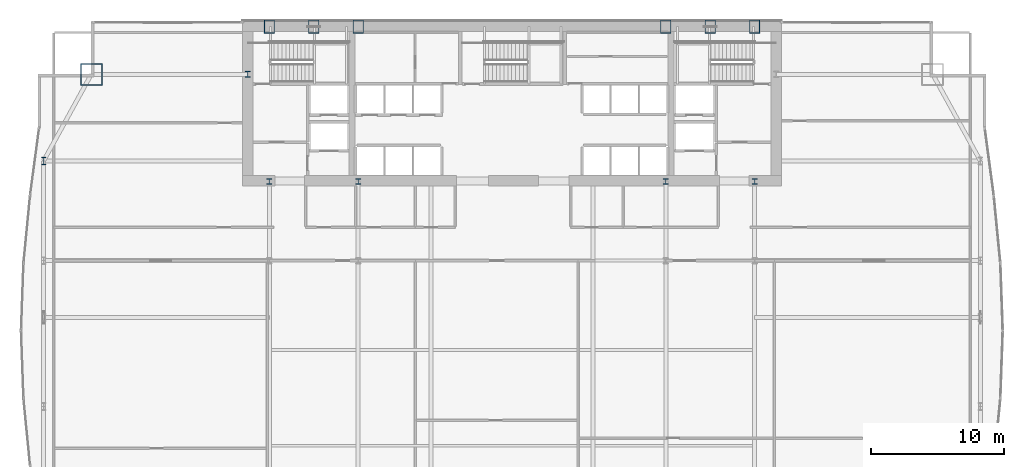
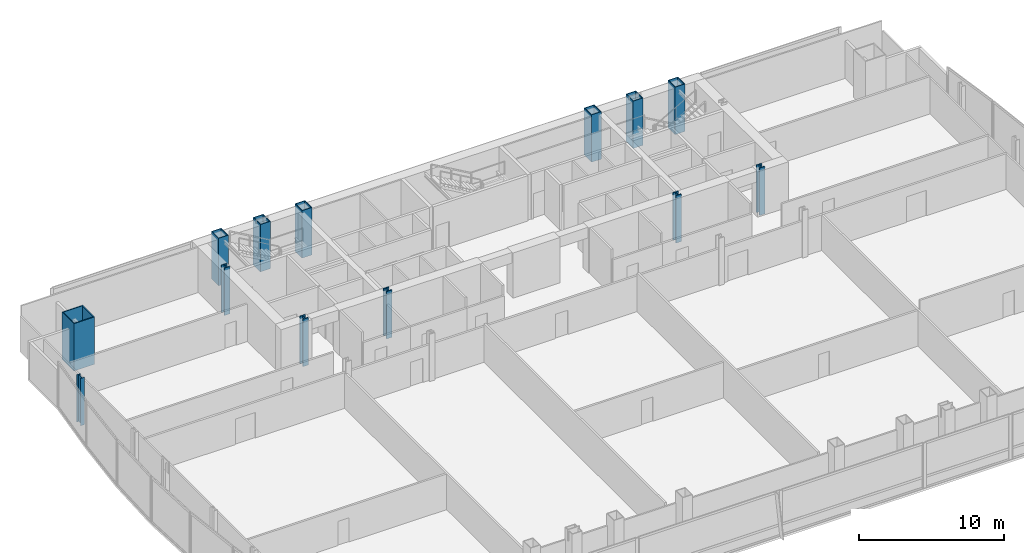
# One storey, part 3 of 35: 13 columns.
"""IFC4 building model written with IfcOpenShell, lengths in metres."""

from ifc_helpers import new_model, si_unit, direction, frame, origin, origin_2d, place, context, subcontext, project, spatial, hollow_rectangle, i_section, extrude, material, material_profile, profile_set, type_object, element, save


model = new_model("IFC4")

# Units and contexts
model_context = context("Model", 3, precision=1e-05, world=origin(), true_north=direction((0.0, 1.0)))
body_context = subcontext(model_context, "Body", "Model", "MODEL_VIEW")
ifc_project = project(units=[si_unit("LENGTHUNIT", "METRE"), si_unit("AREAUNIT", "SQUARE_METRE"), si_unit("VOLUMEUNIT", "CUBIC_METRE"), si_unit("PLANEANGLEUNIT", "RADIAN"), si_unit("MASSUNIT", "GRAM", prefix="KILO")], contexts=[model_context])

# Site, building, storey
site_placement = place(None, origin())
site = spatial("IfcSite", under=ifc_project, at=site_placement, CompositionType="ELEMENT")
building_placement = place(site_placement, origin())
building = spatial("IfcBuilding", under=site, at=building_placement, Name="Khoronbel Lancet Exchange", CompositionType="ELEMENT")
storey_placement = place(building_placement, frame((0.0, 0.0, 69.800048828125)))
storey = spatial("IfcBuildingStorey", under=building, at=storey_placement, Name="L16", CompositionType="ELEMENT", Elevation=69.800048828125)

# Columns
ifc_material_1 = material(Name="Steel S460", Category="steel")
ifc_material_profile_1 = material_profile(ifc_material_1, hollow_rectangle(XDim=0.800048828125, YDim=1.0, WallThickness=0.054931640625, at=origin_2d()), Name="BOX 1000x800x55")
ifc_profile_set_1 = profile_set([ifc_material_profile_1], Name="Steel S460")
column_type_1 = type_object("IfcColumnType", Name="COL-EC1", PredefinedType="COLUMN", material=ifc_profile_set_1)
for number, where, z_axis, x_axis, name in (
    (1, (18.22509765625, 53.280029296875, 0.0), (0.0, 0.0, 1.0), (1.0, 0.0, 0.0), "Structural column NC-W1 L16"),
    (2, (21.5625, 53.280029296875, 0.0), (0.0, 0.0, 1.0), (1.0, 0.0, 0.0), "Structural column NC-WM L16"),
    (3, (24.89990234375, 53.280029296875, 0.0), (0.0, 0.0, 1.0), (1.0, 0.0, 0.0), "Structural column NC-W2 L16"),
    (4, (48.0, 53.280029296875, 0.0), (0.0, 0.0, 1.0), (1.0, 0.0, 0.0), "Structural column NC-E1 L16"),
    (5, (51.33740234375, 53.280029296875, 0.0), (0.0, 0.0, 1.0), (1.0, 0.0, 0.0), "Structural column NC-EM L16"),
    (6, (54.675048828125, 53.280029296875, 0.0), (0.0, 0.0, 1.0), (1.0, 0.0, 0.0), "Structural column NC-E2 L16"),
):
    element("IfcColumn", number, at=place(storey_placement, frame(where, z_axis=z_axis, x_axis=x_axis)), inside=storey, type_object=column_type_1, Name=name, PredefinedType="COLUMN", context=body_context, shape_type="SweptSolid", body=[
        extrude(hollow_rectangle(XDim=0.800048828125, YDim=1.0, WallThickness=0.054931640625, at=origin_2d()), origin(), (0.0, 0.0, 1.0), 4.0),
    ])
ifc_material_profile_2 = material_profile(ifc_material_1, i_section(OverallWidth=0.424072265625, OverallDepth=0.47412109375, WebThickness=0.047607421875, FlangeThickness=0.076904296875, at=origin_2d()), Name="HD 400x634")
ifc_profile_set_2 = profile_set([ifc_material_profile_2], Name="Steel S460")
column_type_2 = type_object("IfcColumnType", Name="COL-IC1", PredefinedType="COLUMN", material=ifc_profile_set_2)
for number, where, z_axis, x_axis, name in (
    (7, (16.60009765625, 49.699951171875, 0.0), (0.0, 0.0, 1.0), (1.0, 0.0, 0.0), "Core-flank plumb transfer column CFW L16"),
    (8, (18.22509765625, 41.64990234375, 0.0), (0.0, 0.0, 1.0), (1.0, 0.0, 0.0), "Core-embedded steel column CTC1 L16"),
    (9, (24.89990234375, 41.64990234375, 0.0), (0.0, 0.0, 1.0), (1.0, 0.0, 0.0), "Core-embedded steel column CTC2 L16"),
    (10, (48.0, 41.64990234375, 0.0), (0.0, 0.0, 1.0), (1.0, 0.0, 0.0), "Core-embedded steel column CTC3 L16"),
    (11, (54.675048828125, 41.64990234375, 0.0), (0.0, 0.0, 1.0), (1.0, 0.0, 0.0), "Core-embedded steel column CTC4 L16"),
):
    element("IfcColumn", number, at=place(storey_placement, frame(where, z_axis=z_axis, x_axis=x_axis)), inside=storey, type_object=column_type_2, Name=name, PredefinedType="COLUMN", context=body_context, shape_type="SweptSolid", body=[
        extrude(i_section(OverallWidth=0.424072265625, OverallDepth=0.47412109375, WebThickness=0.047607421875, FlangeThickness=0.076904296875, at=origin_2d()), origin(), (0.0, 0.0, 1.0), 4.0),
    ])
ifc_material_2 = material(Name="Steel S355", Category="steel")
ifc_material_profile_3 = material_profile(ifc_material_2, i_section(OverallWidth=0.300048828125, OverallDepth=0.550048828125, WebThickness=0.014892578125, FlangeThickness=0.029052734375, at=origin_2d()), Name="HEB 550")
ifc_profile_set_3 = profile_set([ifc_material_profile_3], Name="Steel S355")
column_type_3 = type_object("IfcColumnType", Name="COL-LC1", PredefinedType="COLUMN", material=ifc_profile_set_3)
column_1_placement = place(storey_placement, frame((1.27001953125, 43.199951171875, 0.0), z_axis=(0.0, 0.0, 1.0), x_axis=(1.0, 0.0, 0.0)))
element("IfcColumn", 12, at=column_1_placement, inside=storey, type_object=column_type_3, Name="Structural column WC-4 L16", PredefinedType="COLUMN", context=body_context, shape_type="SweptSolid", body=[
    extrude(i_section(OverallWidth=0.300048828125, OverallDepth=0.550048828125, WebThickness=0.014892578125, FlangeThickness=0.029052734375, at=origin_2d()), origin(), (0.0, 0.0, 1.0), 4.0),
])
ifc_material_profile_4 = material_profile(ifc_material_1, hollow_rectangle(XDim=1.64990234375, YDim=1.64990234375, WallThickness=0.074951171875, at=origin_2d()), Name="BOX 1650x1650x75")
ifc_profile_set_4 = profile_set([ifc_material_profile_4], Name="Steel S460")
column_type_4 = type_object("IfcColumnType", Name="COL-MC2", PredefinedType="COLUMN", material=ifc_profile_set_4)
column_2_placement = place(storey_placement, frame((4.85009765625, 49.699951171875, 0.0), z_axis=(0.0, 0.0, 1.0), x_axis=(1.0, 0.0, 0.0)))
element("IfcColumn", 13, at=column_2_placement, inside=storey, type_object=column_type_4, Name="Structural column MC-NW L16", PredefinedType="COLUMN", context=body_context, shape_type="SweptSolid", body=[
    extrude(hollow_rectangle(XDim=1.64990234375, YDim=1.64990234375, WallThickness=0.074951171875, at=origin_2d()), origin(), (0.0, 0.0, 1.0), 4.0),
])

save(model, "model.ifc")
